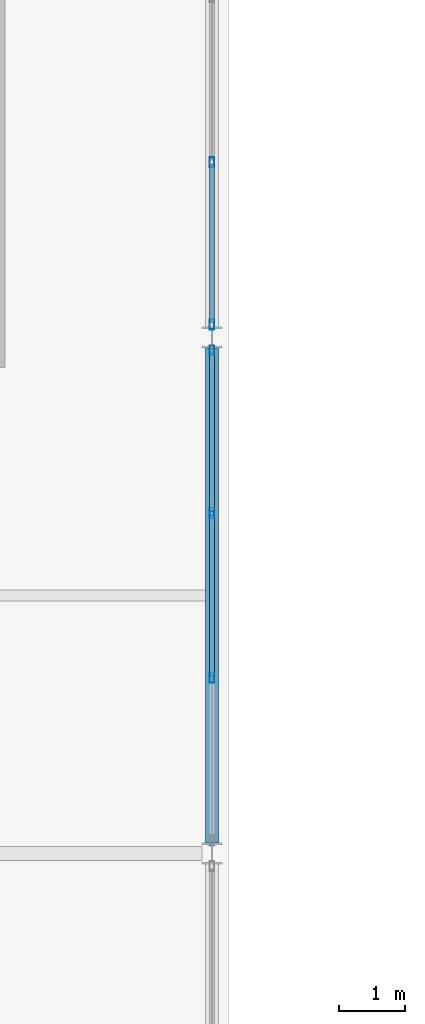
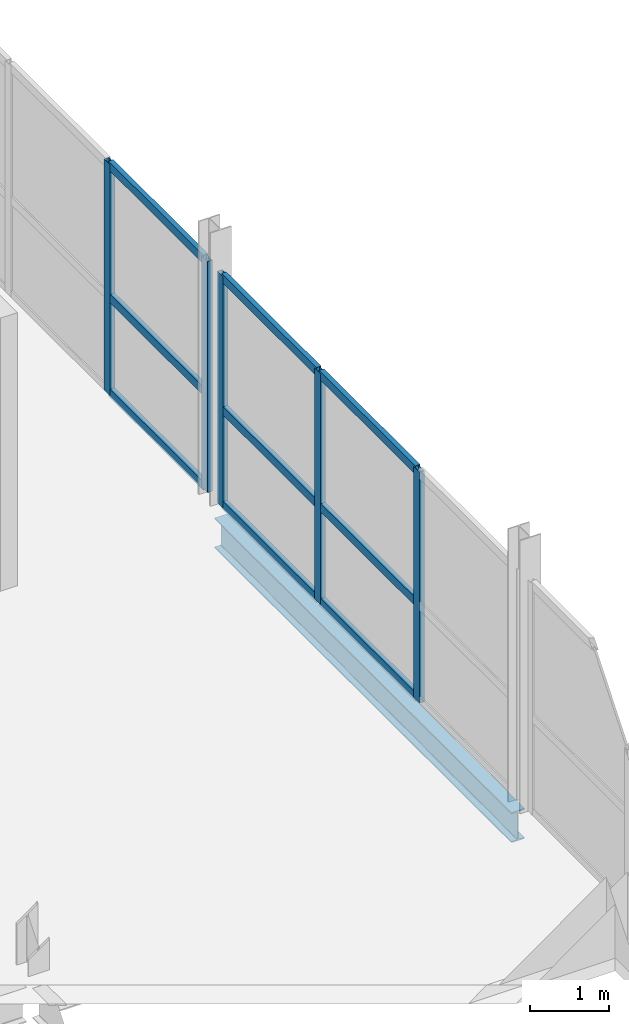
# One storey, part 12 of 60: 14 members, 1 beam, 2 elements without a shape of their own.
"""IFC4 building model written with IfcOpenShell, lengths in metres."""

from ifc_helpers import new_model, si_unit, direction, frame, origin, origin_2d, place, context, subcontext, project, spatial, hollow_rectangle, i_section, extrude, material, layer, layer_set, material_profile, profile_set, type_object, element, aggregate, save


model = new_model("IFC4")

# Units and contexts
model_context = context("Model", 3, precision=1e-05, world=origin(), true_north=direction((0.0, 1.0)))
body_context = subcontext(model_context, "Body", "Model", "MODEL_VIEW")
ifc_project = project(units=[si_unit("LENGTHUNIT", "METRE"), si_unit("AREAUNIT", "SQUARE_METRE"), si_unit("VOLUMEUNIT", "CUBIC_METRE"), si_unit("PLANEANGLEUNIT", "RADIAN"), si_unit("MASSUNIT", "GRAM", prefix="KILO")], contexts=[model_context])

# Site, building, storey
site_placement = place(None, origin())
site = spatial("IfcSite", under=ifc_project, at=site_placement, CompositionType="ELEMENT")
building_placement = place(site_placement, origin())
building = spatial("IfcBuilding", under=site, at=building_placement, Name="Quillay Park Conservatory", CompositionType="ELEMENT")
storey_placement = place(building_placement, frame((0.0, 0.0, 9.89990234375)))
storey = spatial("IfcBuildingStorey", under=building, at=storey_placement, Name="L02", CompositionType="ELEMENT", Elevation=9.89990234375)

# Curtain wall, members
ifc_material_1 = material(Name="Thermally Broken Anodised Aluminium 6063-T6", Category="aluminium")
ifc_layer = layer(ifc_material_1, 0.1650390625)
ifc_layer_set = layer_set([ifc_layer], Name="UNITISED CURTAIN WALL PODIUM (Thermally Broken Anodised Aluminium 6063-T6)")
curtain_wall_type = type_object("IfcCurtainWallType", Name="UNITISED CURTAIN WALL PODIUM", PredefinedType="USERDEFINED", material=ifc_layer_set)
curtain_wall_1_placement = place(storey_placement, origin())
curtain_wall_1 = element("IfcCurtainWall", 1, at=curtain_wall_1_placement, inside=storey, type_object=curtain_wall_type, Name="L02 Unitised Curtain Wall 207", ObjectType="UNITISED CURTAIN WALL", PredefinedType="USERDEFINED")
ifc_material_2 = material(Name="Thermally Broken Anodised Aluminium 6063-T6", Category="aluminium")
ifc_material_profile_1 = material_profile(ifc_material_2, hollow_rectangle(XDim=0.070068359375, YDim=0.14990234375, WallThickness=0.00341796875, at=origin_2d()), Name="AL70x150x3.5")
ifc_profile_set_1 = profile_set([ifc_material_profile_1], Name="Thermally Broken Anodised Aluminium 6063-T6")
member_type_1 = type_object("IfcMemberType", Name="CURTAIN WALL MULLION 70 X150", PredefinedType="MULLION", material=ifc_profile_set_1)
member_1_placement = place(storey_placement, frame((22.14990234375, 38.804931640625, 0.0), z_axis=(0.0, 0.0, 1.0), x_axis=(1.0, 0.0, 0.0)))
member_1 = element("IfcMember", 2, at=member_1_placement, type_object=member_type_1, Name="CW-P1 mullion 1", PredefinedType="MULLION", context=body_context, shape_type="SweptSolid", body=[
    extrude(hollow_rectangle(XDim=0.070068359375, YDim=0.14990234375, WallThickness=0.00341796875, at=origin_2d()), origin(), (0.0, 0.0, 1.0), 3.55419921875),
])
member_2_placement = place(storey_placement, frame((22.14990234375, 36.3466796875, 0.0), z_axis=(0.0, 0.0, 1.0), x_axis=(1.0, 0.0, 0.0)))
member_2 = element("IfcMember", 3, at=member_2_placement, type_object=member_type_1, Name="CW-P1 mullion 2", PredefinedType="MULLION", context=body_context, shape_type="SweptSolid", body=[
    extrude(hollow_rectangle(XDim=0.070068359375, YDim=0.14990234375, WallThickness=0.00341796875, at=origin_2d()), origin(), (0.0, 0.0, 1.0), 3.55419921875),
])
member_3_placement = place(storey_placement, frame((22.14990234375, 33.853271484375, 0.0), z_axis=(0.0, 0.0, 1.0), x_axis=(1.0, 0.0, 0.0)))
member_3 = element("IfcMember", 4, at=member_3_placement, type_object=member_type_1, Name="CW-P1 mullion 3", PredefinedType="MULLION", context=body_context, shape_type="SweptSolid", body=[
    extrude(hollow_rectangle(XDim=0.070068359375, YDim=0.14990234375, WallThickness=0.00341796875, at=origin_2d()), origin(), (0.0, 0.0, 1.0), 3.55419921875),
])

curtain_wall_2_placement = place(storey_placement, origin())
curtain_wall_2 = element("IfcCurtainWall", 5, at=curtain_wall_2_placement, inside=storey, type_object=curtain_wall_type, Name="L02 Unitised Curtain Wall 208", ObjectType="UNITISED CURTAIN WALL", PredefinedType="USERDEFINED")
member_4_placement = place(storey_placement, frame((22.14990234375, 41.6533203125, 0.0), z_axis=(0.0, 0.0, 1.0), x_axis=(1.0, 0.0, 0.0)))
member_4 = element("IfcMember", 6, at=member_4_placement, type_object=member_type_1, Name="CW-P1 mullion 3", PredefinedType="MULLION", context=body_context, shape_type="SweptSolid", body=[
    extrude(hollow_rectangle(XDim=0.070068359375, YDim=0.14990234375, WallThickness=0.00341796875, at=origin_2d()), origin(), (0.0, 0.0, 1.0), 3.55419921875),
])
member_5_placement = place(storey_placement, frame((22.14990234375, 39.195068359375, 0.0), z_axis=(0.0, 0.0, 1.0), x_axis=(1.0, 0.0, 0.0)))
member_5 = element("IfcMember", 7, at=member_5_placement, type_object=member_type_1, Name="CW-P1 mullion 4", PredefinedType="MULLION", context=body_context, shape_type="SweptSolid", body=[
    extrude(hollow_rectangle(XDim=0.070068359375, YDim=0.14990234375, WallThickness=0.00341796875, at=origin_2d()), origin(), (0.0, 0.0, 1.0), 3.55419921875),
])

# Member
ifc_material_3 = material(Name="Thermally Broken Anodised Aluminium 6063-T6", Category="aluminium")
ifc_material_profile_2 = material_profile(ifc_material_3, hollow_rectangle(XDim=0.070068359375, YDim=0.1298828125, WallThickness=0.003173828125, at=origin_2d()), Name="AL70x130x3.2")
ifc_profile_set_2 = profile_set([ifc_material_profile_2], Name="Thermally Broken Anodised Aluminium 6063-T6")
member_type_2 = type_object("IfcMemberType", Name="CURTAIN WALL TRANSOM 70 X130", PredefinedType="USERDEFINED", material=ifc_profile_set_2)
member_6_placement = place(storey_placement, frame((22.14990234375, 38.77001953125, 0.03515625), z_axis=(0.0, -1.0, 0.0), x_axis=(1.0, 0.0, 0.0)))
member_6 = element("IfcMember", 8, at=member_6_placement, type_object=member_type_2, Name="CW-P1 transom 1.1", ObjectType="TRANSOM", PredefinedType="USERDEFINED", context=body_context, shape_type="SweptSolid", body=[
    extrude(hollow_rectangle(XDim=0.070068359375, YDim=0.1298828125, WallThickness=0.003173828125, at=origin_2d()), origin(), (0.0, 0.0, 1.0), 2.388427734375),
])

member_7_placement = place(storey_placement, frame((22.14990234375, 38.77001953125, 1.49267578125), z_axis=(0.0, -1.0, 0.0), x_axis=(1.0, 0.0, 0.0)))
member_7 = element("IfcMember", 9, at=member_7_placement, type_object=member_type_2, Name="CW-P1 transom 1.2", ObjectType="TRANSOM", PredefinedType="USERDEFINED", context=body_context, shape_type="SweptSolid", body=[
    extrude(hollow_rectangle(XDim=0.070068359375, YDim=0.1298828125, WallThickness=0.003173828125, at=origin_2d()), origin(), (0.0, 0.0, 1.0), 2.388427734375),
])

member_8_placement = place(storey_placement, frame((22.14990234375, 38.77001953125, 3.51904296875), z_axis=(0.0, -1.0, 0.0), x_axis=(1.0, 0.0, 0.0)))
member_8 = element("IfcMember", 10, at=member_8_placement, type_object=member_type_2, Name="CW-P1 transom 1.3", ObjectType="TRANSOM", PredefinedType="USERDEFINED", context=body_context, shape_type="SweptSolid", body=[
    extrude(hollow_rectangle(XDim=0.070068359375, YDim=0.1298828125, WallThickness=0.003173828125, at=origin_2d()), origin(), (0.0, 0.0, 1.0), 2.388427734375),
])

member_9_placement = place(storey_placement, frame((22.14990234375, 36.311767578125, 0.03515625), z_axis=(0.0, -1.0, 0.0), x_axis=(1.0, 0.0, 0.0)))
member_9 = element("IfcMember", 11, at=member_9_placement, type_object=member_type_2, Name="CW-P1 transom 2.1", ObjectType="TRANSOM", PredefinedType="USERDEFINED", context=body_context, shape_type="SweptSolid", body=[
    extrude(hollow_rectangle(XDim=0.070068359375, YDim=0.1298828125, WallThickness=0.003173828125, at=origin_2d()), origin(), (0.0, 0.0, 1.0), 2.42333984375),
])

member_10_placement = place(storey_placement, frame((22.14990234375, 36.311767578125, 1.49267578125), z_axis=(0.0, -1.0, 0.0), x_axis=(1.0, 0.0, 0.0)))
member_10 = element("IfcMember", 12, at=member_10_placement, type_object=member_type_2, Name="CW-P1 transom 2.2", ObjectType="TRANSOM", PredefinedType="USERDEFINED", context=body_context, shape_type="SweptSolid", body=[
    extrude(hollow_rectangle(XDim=0.070068359375, YDim=0.1298828125, WallThickness=0.003173828125, at=origin_2d()), origin(), (0.0, 0.0, 1.0), 2.42333984375),
])

member_11_placement = place(storey_placement, frame((22.14990234375, 36.311767578125, 3.51904296875), z_axis=(0.0, -1.0, 0.0), x_axis=(1.0, 0.0, 0.0)))
member_11 = element("IfcMember", 13, at=member_11_placement, type_object=member_type_2, Name="CW-P1 transom 2.3", ObjectType="TRANSOM", PredefinedType="USERDEFINED", context=body_context, shape_type="SweptSolid", body=[
    extrude(hollow_rectangle(XDim=0.070068359375, YDim=0.1298828125, WallThickness=0.003173828125, at=origin_2d()), origin(), (0.0, 0.0, 1.0), 2.42333984375),
])

aggregate(curtain_wall_1, [member_1, member_2, member_3, member_6, member_7, member_8, member_9, member_10, member_11])

member_12_placement = place(storey_placement, frame((22.14990234375, 41.618408203125, 0.03515625), z_axis=(0.0, -1.0, 0.0), x_axis=(1.0, 0.0, 0.0)))
member_12 = element("IfcMember", 14, at=member_12_placement, type_object=member_type_2, Name="CW-P1 transom 3.1", ObjectType="TRANSOM", PredefinedType="USERDEFINED", context=body_context, shape_type="SweptSolid", body=[
    extrude(hollow_rectangle(XDim=0.070068359375, YDim=0.1298828125, WallThickness=0.003173828125, at=origin_2d()), origin(), (0.0, 0.0, 1.0), 2.388427734375),
])

member_13_placement = place(storey_placement, frame((22.14990234375, 41.618408203125, 1.49267578125), z_axis=(0.0, -1.0, 0.0), x_axis=(1.0, 0.0, 0.0)))
member_13 = element("IfcMember", 15, at=member_13_placement, type_object=member_type_2, Name="CW-P1 transom 3.2", ObjectType="TRANSOM", PredefinedType="USERDEFINED", context=body_context, shape_type="SweptSolid", body=[
    extrude(hollow_rectangle(XDim=0.070068359375, YDim=0.1298828125, WallThickness=0.003173828125, at=origin_2d()), origin(), (0.0, 0.0, 1.0), 2.388427734375),
])

member_14_placement = place(storey_placement, frame((22.14990234375, 41.618408203125, 3.51904296875), z_axis=(0.0, -1.0, 0.0), x_axis=(1.0, 0.0, 0.0)))
member_14 = element("IfcMember", 16, at=member_14_placement, type_object=member_type_2, Name="CW-P1 transom 3.3", ObjectType="TRANSOM", PredefinedType="USERDEFINED", context=body_context, shape_type="SweptSolid", body=[
    extrude(hollow_rectangle(XDim=0.070068359375, YDim=0.1298828125, WallThickness=0.003173828125, at=origin_2d()), origin(), (0.0, 0.0, 1.0), 2.388427734375),
])

aggregate(curtain_wall_2, [member_4, member_5, member_12, member_13, member_14])

# Beam
ifc_material_4 = material(Name="Steel ASTM A992 Grade 50", Category="steel")
ifc_material_profile_3 = material_profile(ifc_material_4, i_section(OverallWidth=0.19189453125, OverallDepth=0.462890625, WebThickness=0.010498046875, FlangeThickness=0.017578125, FilletRadius=0.012939453125, at=origin_2d()), Name="W460x89")
ifc_profile_set_3 = profile_set([ifc_material_profile_3], Name="Steel ASTM A992 Grade 50")
beam_type = type_object("IfcBeamType", Name="PRIMARY FLOOR GIRDER W460 X89", PredefinedType="BEAM", material=ifc_profile_set_3)
beam_placement = place(storey_placement, frame((22.14990234375, 31.361572265625, -0.426513671875), z_axis=(0.0, 1.0, 0.0), x_axis=(-1.0, 0.0, 0.0)))
element("IfcBeam", 17, at=beam_placement, inside=storey, type_object=beam_type, Name="L02 beam BM-V3Y-1375", PredefinedType="BEAM", context=body_context, shape_type="SweptSolid", body=[
    extrude(i_section(OverallWidth=0.19189453125, OverallDepth=0.462890625, WebThickness=0.010498046875, FlangeThickness=0.017578125, FilletRadius=0.012939453125, at=origin_2d()), origin(), (0.0, 0.0, 1.0), 7.476806640625),
])

save(model, "model.ifc")
